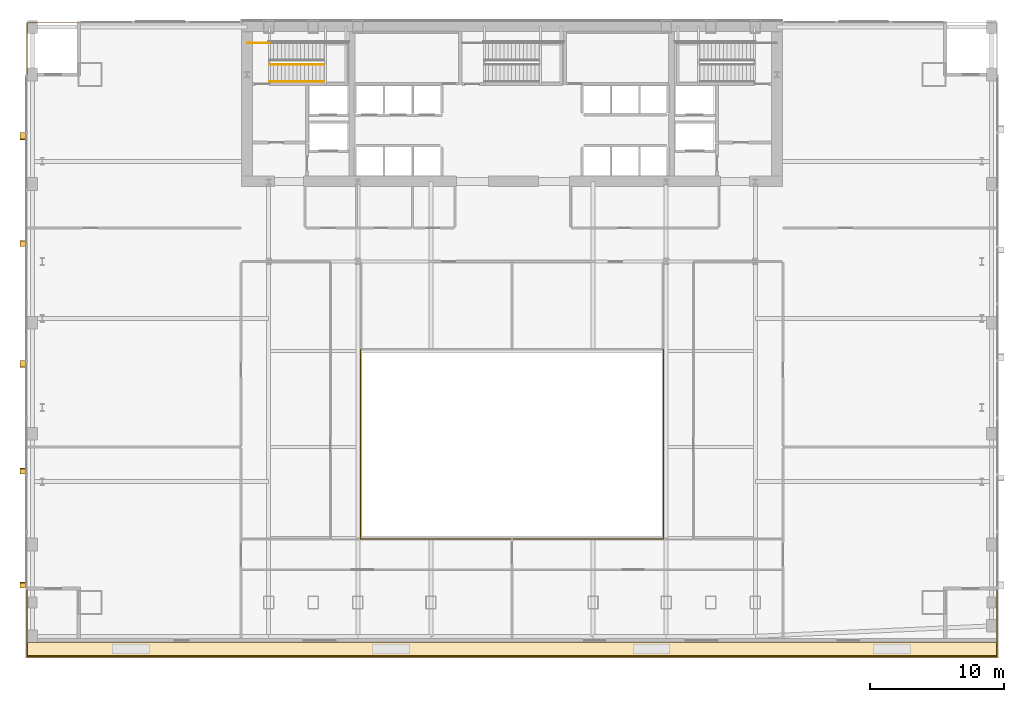
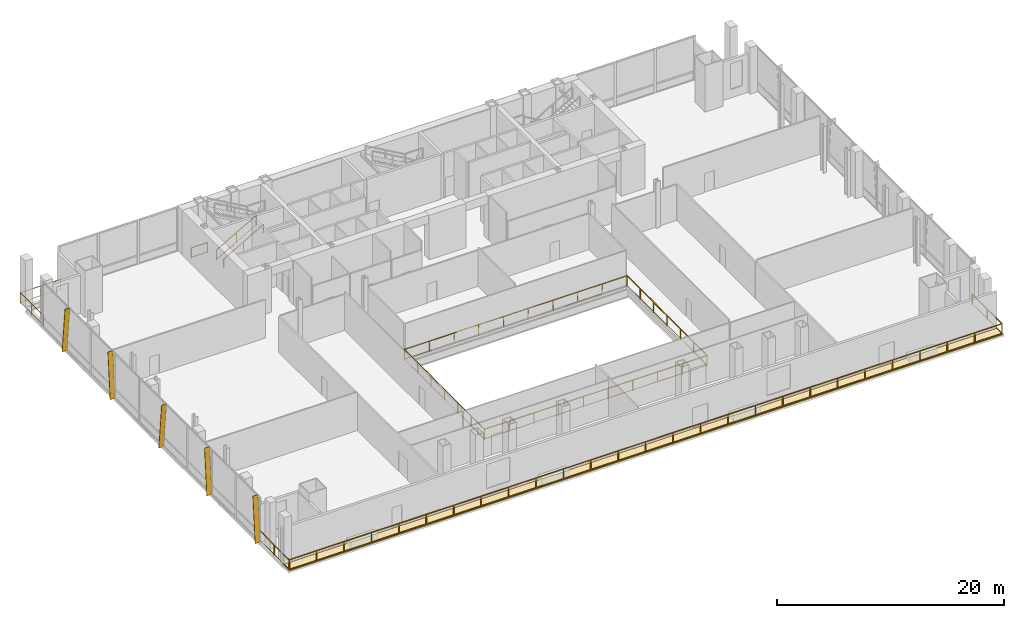
# One storey, part 23 of 25: 7 railings, 5 shading devices, 1 covering.
"""IFC4 building model written with IfcOpenShell, lengths in metres."""

from ifc_helpers import new_model, si_unit, direction, frame, origin, origin_2d, place, context, subcontext, project, spatial, polyline, rectangle, outline, extrude, material, layer, layer_set, type_object, element, save


model = new_model("IFC4")

# Units and contexts
model_context = context("Model", 3, precision=1e-05, world=origin(), true_north=direction((0.0, 1.0)))
body_context = subcontext(model_context, "Body", "Model", "MODEL_VIEW")
ifc_project = project(units=[si_unit("LENGTHUNIT", "METRE"), si_unit("AREAUNIT", "SQUARE_METRE"), si_unit("VOLUMEUNIT", "CUBIC_METRE"), si_unit("PLANEANGLEUNIT", "RADIAN"), si_unit("MASSUNIT", "GRAM", prefix="KILO")], contexts=[model_context])

# Site, building, storey
site_placement = place(None, origin())
site = spatial("IfcSite", under=ifc_project, at=site_placement, CompositionType="ELEMENT")
building_placement = place(site_placement, origin())
building = spatial("IfcBuilding", under=site, at=building_placement, Name="Khoronbel Lancet Exchange", CompositionType="ELEMENT")
storey_placement = place(building_placement, frame((0.0, 0.0, 15.39990234375)))
storey = spatial("IfcBuildingStorey", under=building, at=storey_placement, Name="L03", CompositionType="ELEMENT", Elevation=15.39990234375)

# Covering
ifc_material_1 = material(Name="Standing-Seam Bronze & SBS Waterproofing Assembly", Category="aluminium")
ifc_layer_1 = layer(ifc_material_1, 0.080078125, Name="Standing-Seam Bronze & SBS Waterproofing Assembly")
ifc_layer_set_1 = layer_set([ifc_layer_1], Name="Standing-Seam Bronze & SBS Waterproofing Assembly")
covering_type = type_object("IfcCoveringType", Name="COV-ROOF1", PredefinedType="ROOFING", material=ifc_layer_set_1)
covering_placement = place(storey_placement, frame((0.0, 0.0, -0.079833984375)))
element("IfcCovering", 1, at=covering_placement, inside=storey, type_object=covering_type, Name="Level L03 cascading terrace waterproofing and stone deck", PredefinedType="ROOFING", context=body_context, shape_type="SweptSolid", body=[
    extrude(outline(polyline([(0.10009765625, 6.050048828125), (72.800048828125, 6.050048828125), (72.800048828125, 7.14990234375), (0.10009765625, 7.14990234375), (0.10009765625, 6.050048828125)])), origin(), (0.0, 0.0, 1.0), 0.079833984375),
])

# Railings
ifc_material_2 = material(Name="Bronze-Anodised Stainless Steel", Category="steel")
railing_type_1 = type_object("IfcRailingType", Name="RL-EXT115", PredefinedType="GUARDRAIL", material=ifc_material_2)
railing_1_placement = place(storey_placement, frame((0.1201171875, 11.39990234375, 0.0)))
element("IfcRailing", 2, at=railing_1_placement, inside=storey, type_object=railing_type_1, Name="Level L03 cascading garden terrace and south corner loggia guardrail", PredefinedType="GUARDRAIL", context=body_context, shape_type="SweptSolid", body=[
    extrude(rectangle(XDim=0.052001953125, YDim=0.052001953125, at=origin_2d()), frame((0.0, 0.0, 1.1240234375), z_axis=(0.0, -1.0, 0.0), x_axis=(1.0, 0.0, 0.0)), (0.0, 0.0, 1.0), 5.27978515625),
    extrude(rectangle(XDim=0.02587890625, YDim=0.02587890625, at=origin_2d()), frame((0.0, 0.0, 0.080078125), z_axis=(0.0, -1.0, 0.0), x_axis=(1.0, 0.0, 0.0)), (0.0, 0.0, 1.0), 5.27978515625),
    extrude(rectangle(XDim=0.052001953125, YDim=0.052001953125, at=origin_2d()), frame((0.0, -5.27978515625, 1.1240234375), z_axis=(1.0, 0.0, 0.0), x_axis=(0.0, 1.0, 0.0)), (0.0, 0.0, 1.0), 72.659912109375),
    extrude(rectangle(XDim=0.02587890625, YDim=0.02587890625, at=origin_2d()), frame((0.0, -5.27978515625, 0.080078125), z_axis=(1.0, 0.0, 0.0), x_axis=(0.0, 1.0, 0.0)), (0.0, 0.0, 1.0), 72.659912109375),
    extrude(rectangle(XDim=0.052001953125, YDim=0.052001953125, at=origin_2d()), frame((72.659912109375, -5.27978515625, 1.1240234375), z_axis=(0.0, 1.0, 0.0), x_axis=(-1.0, 0.0, 0.0)), (0.0, 0.0, 1.0), 5.27978515625),
    extrude(rectangle(XDim=0.02587890625, YDim=0.02587890625, at=origin_2d()), frame((72.659912109375, -5.27978515625, 0.080078125), z_axis=(0.0, 1.0, 0.0), x_axis=(-1.0, 0.0, 0.0)), (0.0, 0.0, 1.0), 5.27978515625),
    extrude(rectangle(XDim=0.0419921875, YDim=0.0419921875, at=origin_2d()), origin(), (0.0, 0.0, 1.0), 1.097900390625),
    extrude(rectangle(XDim=0.0419921875, YDim=0.0419921875, at=origin_2d()), frame((0.0, -2.639892578125, 0.0)), (0.0, 0.0, 1.0), 1.097900390625),
    extrude(rectangle(XDim=0.0419921875, YDim=0.0419921875, at=origin_2d()), frame((0.0, -5.27978515625, 0.0)), (0.0, 0.0, 1.0), 1.097900390625),
    extrude(rectangle(XDim=0.0419921875, YDim=0.0419921875, at=origin_2d()), frame((2.794677734375, -5.27978515625, 0.0)), (0.0, 0.0, 1.0), 1.097900390625),
    extrude(rectangle(XDim=0.0419921875, YDim=0.0419921875, at=origin_2d()), frame((5.589111328125, -5.27978515625, 0.0)), (0.0, 0.0, 1.0), 1.097900390625),
    extrude(rectangle(XDim=0.0419921875, YDim=0.0419921875, at=origin_2d()), frame((8.3837890625, -5.27978515625, 0.0)), (0.0, 0.0, 1.0), 1.097900390625),
    extrude(rectangle(XDim=0.0419921875, YDim=0.0419921875, at=origin_2d()), frame((11.178466796875, -5.27978515625, 0.0)), (0.0, 0.0, 1.0), 1.097900390625),
    extrude(rectangle(XDim=0.0419921875, YDim=0.0419921875, at=origin_2d()), frame((13.97314453125, -5.27978515625, 0.0)), (0.0, 0.0, 1.0), 1.097900390625),
    extrude(rectangle(XDim=0.0419921875, YDim=0.0419921875, at=origin_2d()), frame((16.767578125, -5.27978515625, 0.0)), (0.0, 0.0, 1.0), 1.097900390625),
    extrude(rectangle(XDim=0.0419921875, YDim=0.0419921875, at=origin_2d()), frame((19.562255859375, -5.27978515625, 0.0)), (0.0, 0.0, 1.0), 1.097900390625),
    extrude(rectangle(XDim=0.0419921875, YDim=0.0419921875, at=origin_2d()), frame((22.35693359375, -5.27978515625, 0.0)), (0.0, 0.0, 1.0), 1.097900390625),
    extrude(rectangle(XDim=0.0419921875, YDim=0.0419921875, at=origin_2d()), frame((25.151611328125, -5.27978515625, 0.0)), (0.0, 0.0, 1.0), 1.097900390625),
    extrude(rectangle(XDim=0.0419921875, YDim=0.0419921875, at=origin_2d()), frame((27.946044921875, -5.27978515625, 0.0)), (0.0, 0.0, 1.0), 1.097900390625),
    extrude(rectangle(XDim=0.0419921875, YDim=0.0419921875, at=origin_2d()), frame((30.74072265625, -5.27978515625, 0.0)), (0.0, 0.0, 1.0), 1.097900390625),
    extrude(rectangle(XDim=0.0419921875, YDim=0.0419921875, at=origin_2d()), frame((33.535400390625, -5.27978515625, 0.0)), (0.0, 0.0, 1.0), 1.097900390625),
    extrude(rectangle(XDim=0.0419921875, YDim=0.0419921875, at=origin_2d()), frame((36.330078125, -5.27978515625, 0.0)), (0.0, 0.0, 1.0), 1.097900390625),
    extrude(rectangle(XDim=0.0419921875, YDim=0.0419921875, at=origin_2d()), frame((39.12451171875, -5.27978515625, 0.0)), (0.0, 0.0, 1.0), 1.097900390625),
    extrude(rectangle(XDim=0.0419921875, YDim=0.0419921875, at=origin_2d()), frame((41.919189453125, -5.27978515625, 0.0)), (0.0, 0.0, 1.0), 1.097900390625),
    extrude(rectangle(XDim=0.0419921875, YDim=0.0419921875, at=origin_2d()), frame((44.7138671875, -5.27978515625, 0.0)), (0.0, 0.0, 1.0), 1.097900390625),
    extrude(rectangle(XDim=0.0419921875, YDim=0.0419921875, at=origin_2d()), frame((47.50830078125, -5.27978515625, 0.0)), (0.0, 0.0, 1.0), 1.097900390625),
    extrude(rectangle(XDim=0.0419921875, YDim=0.0419921875, at=origin_2d()), frame((50.302978515625, -5.27978515625, 0.0)), (0.0, 0.0, 1.0), 1.097900390625),
    extrude(rectangle(XDim=0.0419921875, YDim=0.0419921875, at=origin_2d()), frame((53.09765625, -5.27978515625, 0.0)), (0.0, 0.0, 1.0), 1.097900390625),
    extrude(rectangle(XDim=0.0419921875, YDim=0.0419921875, at=origin_2d()), frame((55.892333984375, -5.27978515625, 0.0)), (0.0, 0.0, 1.0), 1.097900390625),
    extrude(rectangle(XDim=0.0419921875, YDim=0.0419921875, at=origin_2d()), frame((58.686767578125, -5.27978515625, 0.0)), (0.0, 0.0, 1.0), 1.097900390625),
    extrude(rectangle(XDim=0.0419921875, YDim=0.0419921875, at=origin_2d()), frame((61.4814453125, -5.27978515625, 0.0)), (0.0, 0.0, 1.0), 1.097900390625),
    extrude(rectangle(XDim=0.0419921875, YDim=0.0419921875, at=origin_2d()), frame((64.276123046875, -5.27978515625, 0.0)), (0.0, 0.0, 1.0), 1.097900390625),
    extrude(rectangle(XDim=0.0419921875, YDim=0.0419921875, at=origin_2d()), frame((67.07080078125, -5.27978515625, 0.0)), (0.0, 0.0, 1.0), 1.097900390625),
    extrude(rectangle(XDim=0.0419921875, YDim=0.0419921875, at=origin_2d()), frame((69.865234375, -5.27978515625, 0.0)), (0.0, 0.0, 1.0), 1.097900390625),
    extrude(rectangle(XDim=0.0419921875, YDim=0.0419921875, at=origin_2d()), frame((72.659912109375, -5.27978515625, 0.0)), (0.0, 0.0, 1.0), 1.097900390625),
    extrude(rectangle(XDim=0.0419921875, YDim=0.0419921875, at=origin_2d()), frame((72.659912109375, -2.639892578125, 0.0)), (0.0, 0.0, 1.0), 1.097900390625),
    extrude(rectangle(XDim=0.0419921875, YDim=0.0419921875, at=origin_2d()), frame((72.659912109375, 0.0, 0.0)), (0.0, 0.0, 1.0), 1.097900390625),
])
railing_2_placement = place(storey_placement, frame((0.1201171875, 49.5, 0.0)))
element("IfcRailing", 3, at=railing_2_placement, inside=storey, type_object=railing_type_1, Name="Level L03 north-west colonnade corner loggia guardrail", PredefinedType="GUARDRAIL", context=body_context, shape_type="SweptSolid", body=[
    extrude(rectangle(XDim=0.052001953125, YDim=0.052001953125, at=origin_2d()), frame((0.0, 0.0, 1.1240234375), z_axis=(0.0, 1.0, 0.0), x_axis=(-1.0, 0.0, 0.0)), (0.0, 0.0, 1.0), 4.080078125),
    extrude(rectangle(XDim=0.02587890625, YDim=0.02587890625, at=origin_2d()), frame((0.0, 0.0, 0.080078125), z_axis=(0.0, 1.0, 0.0), x_axis=(-1.0, 0.0, 0.0)), (0.0, 0.0, 1.0), 4.080078125),
    extrude(rectangle(XDim=0.052001953125, YDim=0.052001953125, at=origin_2d()), frame((0.0, 4.080078125, 1.1240234375), z_axis=(1.0, 0.0, 0.0), x_axis=(0.0, 1.0, 0.0)), (0.0, 0.0, 1.0), 4.079833984375),
    extrude(rectangle(XDim=0.02587890625, YDim=0.02587890625, at=origin_2d()), frame((0.0, 4.080078125, 0.080078125), z_axis=(1.0, 0.0, 0.0), x_axis=(0.0, 1.0, 0.0)), (0.0, 0.0, 1.0), 4.079833984375),
    extrude(rectangle(XDim=0.0419921875, YDim=0.0419921875, at=origin_2d()), origin(), (0.0, 0.0, 1.0), 1.097900390625),
    extrude(rectangle(XDim=0.0419921875, YDim=0.0419921875, at=origin_2d()), frame((0.0, 2.0400390625, 0.0)), (0.0, 0.0, 1.0), 1.097900390625),
    extrude(rectangle(XDim=0.0419921875, YDim=0.0419921875, at=origin_2d()), frame((0.0, 4.080078125, 0.0)), (0.0, 0.0, 1.0), 1.097900390625),
    extrude(rectangle(XDim=0.0419921875, YDim=0.0419921875, at=origin_2d()), frame((2.0400390625, 4.080078125, 0.0)), (0.0, 0.0, 1.0), 1.097900390625),
    extrude(rectangle(XDim=0.0419921875, YDim=0.0419921875, at=origin_2d()), frame((4.079833984375, 4.080078125, 0.0)), (0.0, 0.0, 1.0), 1.097900390625),
])
ifc_material_3 = material(Name="Laminated Glass & Bronze Balustrade", Category="glass")
railing_type_2 = type_object("IfcRailingType", Name="RL-INT115", PredefinedType="BALUSTRADE", material=ifc_material_3)
railing_3_placement = place(storey_placement, frame((25.10009765625, 29.06005859375, 0.0)))
element("IfcRailing", 4, at=railing_3_placement, inside=storey, type_object=railing_type_2, Name="Level L03 gallery void safety balustrade SW", PredefinedType="BALUSTRADE", context=body_context, shape_type="SweptSolid", body=[
    extrude(rectangle(XDim=0.052001953125, YDim=0.052001953125, at=origin_2d()), frame((0.0, 0.0, 1.1240234375), z_axis=(0.0, -1.0, 0.0), x_axis=(1.0, 0.0, 0.0)), (0.0, 0.0, 1.0), 14.16015625),
    extrude(rectangle(XDim=0.02587890625, YDim=0.02587890625, at=origin_2d()), frame((0.0, 0.0, 0.080078125), z_axis=(0.0, -1.0, 0.0), x_axis=(1.0, 0.0, 0.0)), (0.0, 0.0, 1.0), 14.16015625),
    extrude(rectangle(XDim=0.052001953125, YDim=0.052001953125, at=origin_2d()), frame((0.0, -14.16015625, 1.1240234375), z_axis=(1.0, 0.0, 0.0), x_axis=(0.0, 1.0, 0.0)), (0.0, 0.0, 1.0), 22.659912109375),
    extrude(rectangle(XDim=0.02587890625, YDim=0.02587890625, at=origin_2d()), frame((0.0, -14.16015625, 0.080078125), z_axis=(1.0, 0.0, 0.0), x_axis=(0.0, 1.0, 0.0)), (0.0, 0.0, 1.0), 22.659912109375),
    extrude(rectangle(XDim=0.0419921875, YDim=0.0419921875, at=origin_2d()), origin(), (0.0, 0.0, 1.0), 1.097900390625),
    extrude(rectangle(XDim=0.0419921875, YDim=0.0419921875, at=origin_2d()), frame((0.0, -2.360107421875, 0.0)), (0.0, 0.0, 1.0), 1.097900390625),
    extrude(rectangle(XDim=0.0419921875, YDim=0.0419921875, at=origin_2d()), frame((0.0, -4.719970703125, 0.0)), (0.0, 0.0, 1.0), 1.097900390625),
    extrude(rectangle(XDim=0.0419921875, YDim=0.0419921875, at=origin_2d()), frame((0.0, -7.080078125, 0.0)), (0.0, 0.0, 1.0), 1.097900390625),
    extrude(rectangle(XDim=0.0419921875, YDim=0.0419921875, at=origin_2d()), frame((0.0, -9.440185546875, 0.0)), (0.0, 0.0, 1.0), 1.097900390625),
    extrude(rectangle(XDim=0.0419921875, YDim=0.0419921875, at=origin_2d()), frame((0.0, -11.800048828125, 0.0)), (0.0, 0.0, 1.0), 1.097900390625),
    extrude(rectangle(XDim=0.0419921875, YDim=0.0419921875, at=origin_2d()), frame((0.0, -14.16015625, 0.0)), (0.0, 0.0, 1.0), 1.097900390625),
    extrude(rectangle(XDim=0.0419921875, YDim=0.0419921875, at=origin_2d()), frame((2.517822265625, -14.16015625, 0.0)), (0.0, 0.0, 1.0), 1.097900390625),
    extrude(rectangle(XDim=0.0419921875, YDim=0.0419921875, at=origin_2d()), frame((5.03564453125, -14.16015625, 0.0)), (0.0, 0.0, 1.0), 1.097900390625),
    extrude(rectangle(XDim=0.0419921875, YDim=0.0419921875, at=origin_2d()), frame((7.55322265625, -14.16015625, 0.0)), (0.0, 0.0, 1.0), 1.097900390625),
    extrude(rectangle(XDim=0.0419921875, YDim=0.0419921875, at=origin_2d()), frame((10.071044921875, -14.16015625, 0.0)), (0.0, 0.0, 1.0), 1.097900390625),
    extrude(rectangle(XDim=0.0419921875, YDim=0.0419921875, at=origin_2d()), frame((12.5888671875, -14.16015625, 0.0)), (0.0, 0.0, 1.0), 1.097900390625),
    extrude(rectangle(XDim=0.0419921875, YDim=0.0419921875, at=origin_2d()), frame((15.106689453125, -14.16015625, 0.0)), (0.0, 0.0, 1.0), 1.097900390625),
    extrude(rectangle(XDim=0.0419921875, YDim=0.0419921875, at=origin_2d()), frame((17.624267578125, -14.16015625, 0.0)), (0.0, 0.0, 1.0), 1.097900390625),
    extrude(rectangle(XDim=0.0419921875, YDim=0.0419921875, at=origin_2d()), frame((20.14208984375, -14.16015625, 0.0)), (0.0, 0.0, 1.0), 1.097900390625),
    extrude(rectangle(XDim=0.0419921875, YDim=0.0419921875, at=origin_2d()), frame((22.659912109375, -14.16015625, 0.0)), (0.0, 0.0, 1.0), 1.097900390625),
])
railing_4_placement = place(storey_placement, frame((25.139892578125, 29.10009765625, 0.0)))
element("IfcRailing", 5, at=railing_4_placement, inside=storey, type_object=railing_type_2, Name="Level L03 gallery void safety balustrade NE", PredefinedType="BALUSTRADE", context=body_context, shape_type="SweptSolid", body=[
    extrude(rectangle(XDim=0.052001953125, YDim=0.052001953125, at=origin_2d()), frame((0.0, 0.0, 1.1240234375), z_axis=(1.0, 0.0, 0.0), x_axis=(0.0, 1.0, 0.0)), (0.0, 0.0, 1.0), 22.66015625),
    extrude(rectangle(XDim=0.02587890625, YDim=0.02587890625, at=origin_2d()), frame((0.0, 0.0, 0.080078125), z_axis=(1.0, 0.0, 0.0), x_axis=(0.0, 1.0, 0.0)), (0.0, 0.0, 1.0), 22.66015625),
    extrude(rectangle(XDim=0.052001953125, YDim=0.052001953125, at=origin_2d()), frame((22.66015625, 0.0, 1.1240234375), z_axis=(0.0, -1.0, 0.0), x_axis=(1.0, 0.0, 0.0)), (0.0, 0.0, 1.0), 14.16015625),
    extrude(rectangle(XDim=0.02587890625, YDim=0.02587890625, at=origin_2d()), frame((22.66015625, 0.0, 0.080078125), z_axis=(0.0, -1.0, 0.0), x_axis=(1.0, 0.0, 0.0)), (0.0, 0.0, 1.0), 14.16015625),
    extrude(rectangle(XDim=0.0419921875, YDim=0.0419921875, at=origin_2d()), origin(), (0.0, 0.0, 1.0), 1.097900390625),
    extrude(rectangle(XDim=0.0419921875, YDim=0.0419921875, at=origin_2d()), frame((2.517822265625, 0.0, 0.0)), (0.0, 0.0, 1.0), 1.097900390625),
    extrude(rectangle(XDim=0.0419921875, YDim=0.0419921875, at=origin_2d()), frame((5.03564453125, 0.0, 0.0)), (0.0, 0.0, 1.0), 1.097900390625),
    extrude(rectangle(XDim=0.0419921875, YDim=0.0419921875, at=origin_2d()), frame((7.553466796875, 0.0, 0.0)), (0.0, 0.0, 1.0), 1.097900390625),
    extrude(rectangle(XDim=0.0419921875, YDim=0.0419921875, at=origin_2d()), frame((10.0712890625, 0.0, 0.0)), (0.0, 0.0, 1.0), 1.097900390625),
    extrude(rectangle(XDim=0.0419921875, YDim=0.0419921875, at=origin_2d()), frame((12.5888671875, 0.0, 0.0)), (0.0, 0.0, 1.0), 1.097900390625),
    extrude(rectangle(XDim=0.0419921875, YDim=0.0419921875, at=origin_2d()), frame((15.106689453125, 0.0, 0.0)), (0.0, 0.0, 1.0), 1.097900390625),
    extrude(rectangle(XDim=0.0419921875, YDim=0.0419921875, at=origin_2d()), frame((17.62451171875, 0.0, 0.0)), (0.0, 0.0, 1.0), 1.097900390625),
    extrude(rectangle(XDim=0.0419921875, YDim=0.0419921875, at=origin_2d()), frame((20.142333984375, 0.0, 0.0)), (0.0, 0.0, 1.0), 1.097900390625),
    extrude(rectangle(XDim=0.0419921875, YDim=0.0419921875, at=origin_2d()), frame((22.66015625, 0.0, 0.0)), (0.0, 0.0, 1.0), 1.097900390625),
    extrude(rectangle(XDim=0.0419921875, YDim=0.0419921875, at=origin_2d()), frame((22.66015625, -2.360107421875, 0.0)), (0.0, 0.0, 1.0), 1.097900390625),
    extrude(rectangle(XDim=0.0419921875, YDim=0.0419921875, at=origin_2d()), frame((22.66015625, -4.719970703125, 0.0)), (0.0, 0.0, 1.0), 1.097900390625),
    extrude(rectangle(XDim=0.0419921875, YDim=0.0419921875, at=origin_2d()), frame((22.66015625, -7.080078125, 0.0)), (0.0, 0.0, 1.0), 1.097900390625),
    extrude(rectangle(XDim=0.0419921875, YDim=0.0419921875, at=origin_2d()), frame((22.66015625, -9.440185546875, 0.0)), (0.0, 0.0, 1.0), 1.097900390625),
    extrude(rectangle(XDim=0.0419921875, YDim=0.0419921875, at=origin_2d()), frame((22.66015625, -11.800048828125, 0.0)), (0.0, 0.0, 1.0), 1.097900390625),
    extrude(rectangle(XDim=0.0419921875, YDim=0.0419921875, at=origin_2d()), frame((22.66015625, -14.16015625, 0.0)), (0.0, 0.0, 1.0), 1.097900390625),
])
ifc_material_4 = material(Name="Painted Steel Balustrade", Category="steel")
railing_type_3 = type_object("IfcRailingType", Name="RL-STG110", PredefinedType="GUARDRAIL", material=ifc_material_4)
railing_5_placement = place(storey_placement, frame((18.300048828125, 50.449951171875, 0.166748046875)))
element("IfcRailing", 6, at=railing_5_placement, inside=storey, type_object=railing_type_3, Name="L03 ST1 stair guard 1", PredefinedType="GUARDRAIL", context=body_context, shape_type="SweptSolid", body=[
    extrude(rectangle(XDim=0.048095703125, YDim=0.048095703125, at=origin_2d()), frame((0.0, 0.0, 1.09619140625), z_axis=(0.867024558463, 0.0, 0.498265406207), x_axis=(0.0, 1.0, 0.0)), (0.0, 0.0, 1.0), 4.682861328125),
    extrude(rectangle(XDim=0.02392578125, YDim=0.02392578125, at=origin_2d()), frame((0.0, 0.0, 0.080078125), z_axis=(0.867024558463, 0.0, 0.498265406207), x_axis=(0.0, 1.0, 0.0)), (0.0, 0.0, 1.0), 4.682861328125),
    extrude(rectangle(XDim=0.0419921875, YDim=0.0419921875, at=origin_2d()), origin(), (0.0, 0.0, 1.0), 1.072021484375),
    extrude(rectangle(XDim=0.0419921875, YDim=0.0419921875, at=origin_2d()), frame((2.030029296875, 0.0, 1.16650390625)), (0.0, 0.0, 1.0), 1.072021484375),
    extrude(rectangle(XDim=0.0419921875, YDim=0.0419921875, at=origin_2d()), frame((4.06005859375, 0.0, 2.333251953125)), (0.0, 0.0, 1.0), 1.072021484375),
])
railing_6_placement = place(storey_placement, frame((16.64990234375, 52.050048828125, 0.0)))
element("IfcRailing", 7, at=railing_6_placement, inside=storey, type_object=railing_type_3, Name="L03 ST1 stair guard 6", PredefinedType="GUARDRAIL", context=body_context, shape_type="SweptSolid", body=[
    extrude(rectangle(XDim=0.048095703125, YDim=0.048095703125, at=origin_2d()), frame((0.0, 0.0, 1.09619140625), z_axis=(1.0, 0.0, 0.0), x_axis=(0.0, 1.0, 0.0)), (0.0, 0.0, 1.0), 1.650146484375),
    extrude(rectangle(XDim=0.02392578125, YDim=0.02392578125, at=origin_2d()), frame((0.0, 0.0, 0.080078125), z_axis=(1.0, 0.0, 0.0), x_axis=(0.0, 1.0, 0.0)), (0.0, 0.0, 1.0), 1.650146484375),
    extrude(rectangle(XDim=0.0419921875, YDim=0.0419921875, at=origin_2d()), origin(), (0.0, 0.0, 1.0), 1.072021484375),
    extrude(rectangle(XDim=0.0419921875, YDim=0.0419921875, at=origin_2d()), frame((1.650146484375, 0.0, 0.0)), (0.0, 0.0, 1.0), 1.072021484375),
])
ifc_material_5 = material(Name="Brushed Stainless Steel 316", Category="steel")
railing_type_4 = type_object("IfcRailingType", Name="RL-STH92", PredefinedType="HANDRAIL", material=ifc_material_5)
railing_7_placement = place(storey_placement, frame((18.300048828125, 49.169921875, 0.166748046875)))
element("IfcRailing", 8, at=railing_7_placement, inside=storey, type_object=railing_type_4, Name="L03 ST1 stair handrail 1", PredefinedType="HANDRAIL", context=body_context, shape_type="SweptSolid", body=[
    extrude(rectangle(XDim=0.048095703125, YDim=0.048095703125, at=origin_2d()), frame((0.0, 0.0, 0.8759765625), z_axis=(0.867024558463, 0.0, 0.498265406207), x_axis=(0.0, 1.0, 0.0)), (0.0, 0.0, 1.0), 4.682861328125),
    extrude(rectangle(XDim=0.0419921875, YDim=0.0419921875, at=origin_2d()), origin(), (0.0, 0.0, 1.0), 0.851806640625),
    extrude(rectangle(XDim=0.0419921875, YDim=0.0419921875, at=origin_2d()), frame((2.030029296875, 0.0, 1.16650390625)), (0.0, 0.0, 1.0), 0.851806640625),
    extrude(rectangle(XDim=0.0419921875, YDim=0.0419921875, at=origin_2d()), frame((4.06005859375, 0.0, 2.333251953125)), (0.0, 0.0, 1.0), 0.851806640625),
])

# Shading devices
ifc_material_6 = material(Name="Bronze-Anodised Aluminium 6063-T6", Category="aluminium")
ifc_layer_2 = layer(ifc_material_6, 0.054931640625, Name="Bronze-Anodised Aluminium 6063-T6")
ifc_layer_set_2 = layer_set([ifc_layer_2], Name="Bronze-Anodised Aluminium 6063-T6")
shading_device_type = type_object("IfcShadingDeviceType", Name="SHD-FIN1", PredefinedType="USERDEFINED", material=ifc_layer_set_2)
shading_device_1_placement = place(storey_placement, frame((0.1201171875, 45.36083984375, -0.079833984375), z_axis=(0.0, 0.994728291003, 0.102545731644), x_axis=(-1.0, 0.0, 0.0)))
element("IfcShadingDevice", 9, at=shading_device_1_placement, inside=storey, type_object=shading_device_type, Name="Slanted bronze solar fin CW-L03-WEST-1", ObjectType="FIN", PredefinedType="USERDEFINED", context=body_context, shape_type="SweptSolid", body=[
    extrude(outline(polyline([(0.0, 0.0), (0.52001953125, 0.0), (0.52001953125, 4.92578125), (0.0, 4.92578125), (0.0, 0.0)])), origin(), (0.0, 0.0, -1.0), 0.054931640625),
])
shading_device_2_placement = place(storey_placement, frame((0.1201171875, 36.827392578125, -0.079833984375), z_axis=(0.0, -0.996766136852, 0.080357130515), x_axis=(-1.0, 0.0, 0.0)))
element("IfcShadingDevice", 10, at=shading_device_2_placement, inside=storey, type_object=shading_device_type, Name="Slanted bronze solar fin CW-L03-WEST-3", ObjectType="FIN", PredefinedType="USERDEFINED", context=body_context, shape_type="SweptSolid", body=[
    extrude(outline(polyline([(0.0, 0.0), (0.52001953125, 0.0), (0.52001953125, -4.915771484375), (0.0, -4.915771484375), (0.0, 0.0)])), origin(), (0.0, 0.0, -1.0), 0.054931640625),
])
shading_device_3_placement = place(storey_placement, frame((0.1201171875, 28.294189453125, -0.079833984375), z_axis=(0.0, 0.994733345495, 0.102496689511), x_axis=(-1.0, 0.0, 0.0)))
element("IfcShadingDevice", 11, at=shading_device_3_placement, inside=storey, type_object=shading_device_type, Name="Slanted bronze solar fin CW-L03-WEST-5", ObjectType="FIN", PredefinedType="USERDEFINED", context=body_context, shape_type="SweptSolid", body=[
    extrude(outline(polyline([(0.0, 0.0), (0.52001953125, 0.0), (0.52001953125, 4.92578125), (0.0, 4.92578125), (0.0, 0.0)])), origin(), (0.0, 0.0, -1.0), 0.054931640625),
])
for number, where, z_axis, x_axis, name in (
    (12, (0.1201171875, 19.7607421875, -0.079833984375), (0.0, -0.996766136852, 0.080357130515), (-1.0, 0.0, 0.0), "Slanted bronze solar fin CW-L03-WEST-7"),
    (13, (0.1201171875, 11.2275390625, -0.079833984375), (0.0, -0.996766136852, 0.080357130515), (-1.0, 0.0, 0.0), "Slanted bronze solar fin CW-L03-WEST-9"),
):
    element("IfcShadingDevice", number, at=place(storey_placement, frame(where, z_axis=z_axis, x_axis=x_axis)), inside=storey, type_object=shading_device_type, Name=name, ObjectType="FIN", PredefinedType="USERDEFINED", context=body_context, shape_type="SweptSolid", body=[
        extrude(outline(polyline([(0.0, 0.0), (0.52001953125, 0.0), (0.52001953125, -4.915771484375), (0.0, -4.915771484375), (0.0, 0.0)])), origin(), (0.0, 0.0, -1.0), 0.054931640625),
    ])

save(model, "model.ifc")
